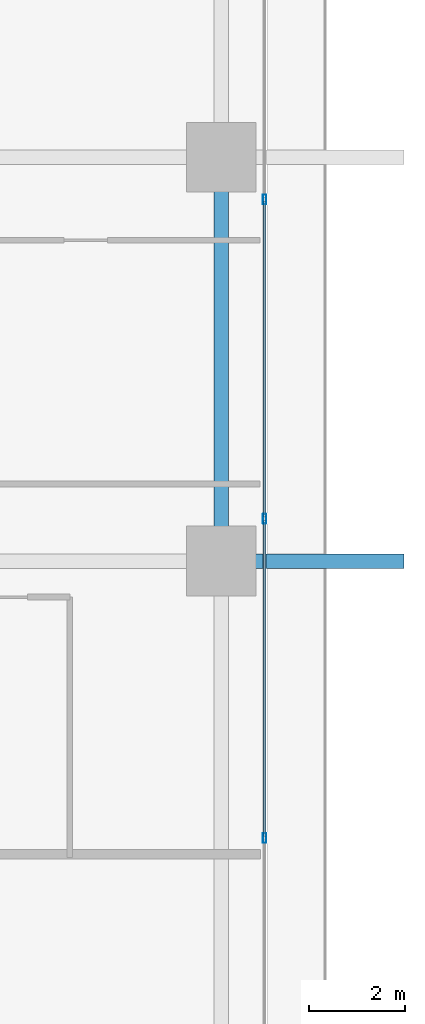
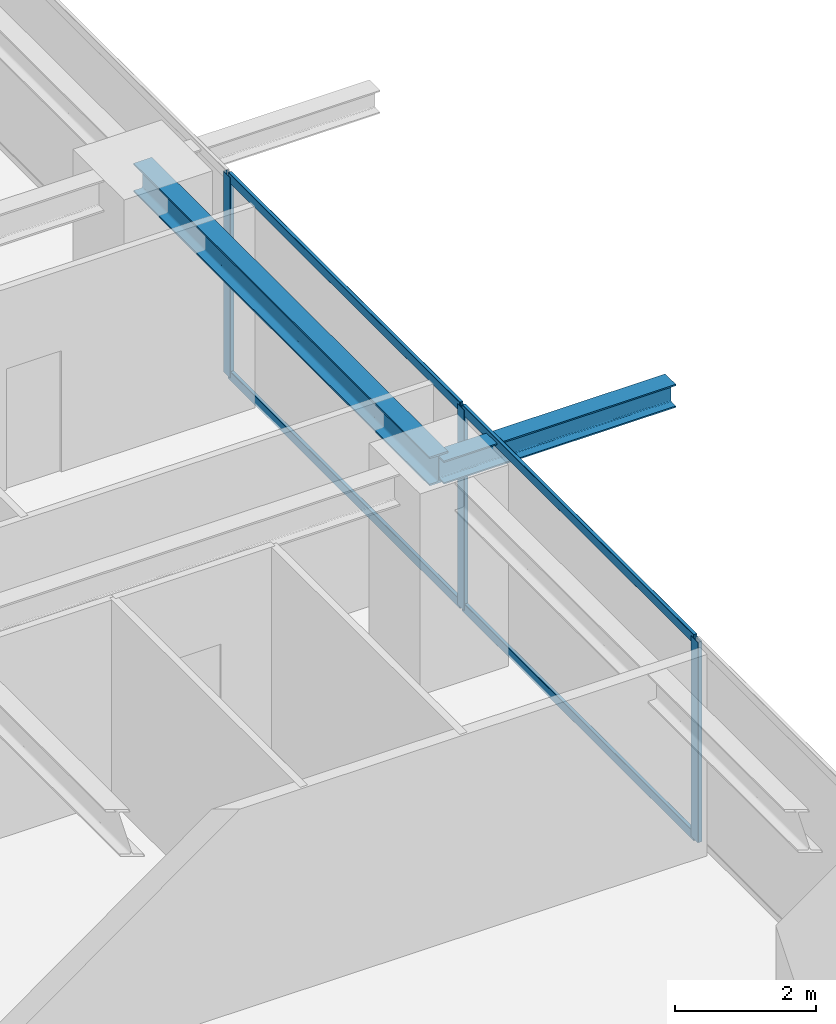
# One storey, part 15 of 41: 7 members, 2 beams, 1 element without a shape of its own.
"""IFC4 building model written with IfcOpenShell, lengths in metres."""

from ifc_helpers import new_model, si_unit, direction, frame, origin, origin_2d, place, context, subcontext, project, spatial, hollow_rectangle, i_section, extrude, source, transform, mapped, material, layer, layer_set, material_profile, profile_set, type_object, element, aggregate, save


model = new_model("IFC4")

# Units and contexts
model_context = context("Model", 3, precision=1e-05, world=origin(), true_north=direction((0.0, 1.0)))
body_context = subcontext(model_context, "Body", "Model", "MODEL_VIEW")
ifc_project = project(units=[si_unit("LENGTHUNIT", "METRE"), si_unit("AREAUNIT", "SQUARE_METRE"), si_unit("VOLUMEUNIT", "CUBIC_METRE"), si_unit("PLANEANGLEUNIT", "RADIAN"), si_unit("MASSUNIT", "GRAM", prefix="KILO")], contexts=[model_context])

# Site, building, storey
site_placement = place(None, origin())
site = spatial("IfcSite", under=ifc_project, at=site_placement, CompositionType="ELEMENT")
building_placement = place(site_placement, origin())
building = spatial("IfcBuilding", under=site, at=building_placement, Name="Serunith Strait Residences", CompositionType="ELEMENT")
storey_placement = place(building_placement, frame((0.0, 0.0, 75.449951171875)))
storey = spatial("IfcBuildingStorey", under=building, at=storey_placement, Name="L18", CompositionType="ELEMENT", Elevation=75.449951171875)

# Beams
ifc_material_1 = material(Name="Steel S355J2", Category="steel")
ifc_material_profile_1 = material_profile(ifc_material_1, i_section(OverallWidth=0.300048828125, OverallDepth=0.5, WebThickness=0.014404296875, FlangeThickness=0.028076171875, FilletRadius=0.027099609375, at=origin_2d()), Name="HEB 500")
ifc_profile_set_1 = profile_set([ifc_material_profile_1], Name="Steel S355J2")
beam_type_1 = type_object("IfcBeamType", Name="BM-HEB500", PredefinedType="BEAM", material=ifc_profile_set_1)
shared_shape_1 = source(origin(), body_context, "Body", "SweptSolid", [
    extrude(i_section(OverallWidth=0.300048828125, OverallDepth=0.5, WebThickness=0.014404296875, FlangeThickness=0.028076171875, FilletRadius=0.027099609375, at=origin_2d()), origin(), (0.0, 0.0, 1.0), 8.39990234375),
])
beam_1_placement = place(storey_placement, frame((57.89990234375, 21.0, 3.237060546875), z_axis=(0.0, 1.0, 0.0), x_axis=(-1.0, 0.0, 0.0)))
element("IfcBeam", 1, at=beam_1_placement, inside=storey, type_object=beam_type_1, Name="L18 Perimeter Ring Beam 06", PredefinedType="BEAM", context=body_context, shape_type="MappedRepresentation", body=[
    mapped(shared_shape_1, transform((0.0, 0.0, 0.0), scale=1.0)),
])
ifc_material_profile_2 = material_profile(ifc_material_1, i_section(OverallWidth=0.300048828125, OverallDepth=0.39990234375, WebThickness=0.013427734375, FlangeThickness=0.02392578125, FilletRadius=0.027099609375, at=origin_2d()), Name="HEB 400")
ifc_profile_set_2 = profile_set([ifc_material_profile_2], Name="Steel S355J2")
beam_type_2 = type_object("IfcBeamType", Name="BM-HEB400", PredefinedType="BEAM", material=ifc_profile_set_2)
shared_shape_2 = source(origin(), body_context, "Body", "SweptSolid", [
    extrude(i_section(OverallWidth=0.300048828125, OverallDepth=0.39990234375, WebThickness=0.013427734375, FlangeThickness=0.02392578125, FilletRadius=0.027099609375, at=origin_2d()), origin(), (0.0, 0.0, 1.0), 3.800048828125),
])
beam_2_placement = place(storey_placement, frame((57.89990234375, 21.0, 3.257080078125), z_axis=(1.0, 0.0, 0.0), x_axis=(0.0, 1.0, 0.0)))
element("IfcBeam", 2, at=beam_2_placement, inside=storey, type_object=beam_type_2, Name="L19 Cantilevered Balcony Rib TC-E2", PredefinedType="BEAM", context=body_context, shape_type="MappedRepresentation", body=[
    mapped(shared_shape_2, transform((0.0, 0.0, 0.0), scale=1.0)),
])

# Curtain wall, members
ifc_material_2 = material(Name="Pale-Champagne Anodised Aluminium", Category="aluminium")
ifc_layer = layer(ifc_material_2, 0.199951171875, Name="Pale-Champagne Anodised Aluminium")
ifc_layer_set = layer_set([ifc_layer], Name="Pale-Champagne Anodised Aluminium")
curtain_wall_type = type_object("IfcCurtainWallType", Name="CW-SYS1", PredefinedType="NOTDEFINED", material=ifc_layer_set)
curtain_wall_placement = place(storey_placement, origin())
curtain_wall = element("IfcCurtainWall", 3, at=curtain_wall_placement, inside=storey, type_object=curtain_wall_type, Name="L18 E Unitised Fritted Curtain Wall", PredefinedType="NOTDEFINED")
ifc_material_profile_3 = material_profile(ifc_material_2, hollow_rectangle(XDim=0.070068359375, YDim=0.199951171875, WallThickness=0.00390625, InnerFilletRadius=0.006103515625, OuterFilletRadius=0.010009765625, at=origin_2d()), Name="ALU 200x70x4")
ifc_profile_set_3 = profile_set([ifc_material_profile_3], Name="Pale-Champagne Anodised Aluminium")
member_type_1 = type_object("IfcMemberType", Name="CW-SYS1-MULL", PredefinedType="MULLION", material=ifc_profile_set_3)
shared_shape_3 = source(origin(), body_context, "Body", "SweptSolid", [
    extrude(hollow_rectangle(XDim=0.070068359375, YDim=0.199951171875, WallThickness=0.00390625, InnerFilletRadius=0.006103515625, OuterFilletRadius=0.010009765625, at=origin_2d()), origin(), (0.0, 0.0, 1.0), 3.47509765625),
])
member_1_placement = place(storey_placement, frame((58.800048828125, 15.239990234375, 0.0), z_axis=(0.0, 0.0, 1.0), x_axis=(-1.0, 0.0, 0.0)))
member_1 = element("IfcMember", 4, at=member_1_placement, type_object=member_type_1, Name="CW-1 mullion 2", PredefinedType="MULLION", context=body_context, shape_type="MappedRepresentation", body=[
    mapped(shared_shape_3, transform((0.0, 0.0, 0.0), scale=1.0)),
])
member_2_placement = place(storey_placement, frame((58.800048828125, 21.8798828125, 0.0), z_axis=(0.0, 0.0, 1.0), x_axis=(-1.0, 0.0, 0.0)))
member_2 = element("IfcMember", 5, at=member_2_placement, type_object=member_type_1, Name="CW-1 mullion 3", PredefinedType="MULLION", context=body_context, shape_type="MappedRepresentation", body=[
    mapped(shared_shape_3, transform((0.0, 0.0, 0.0), scale=1.0)),
])
member_3_placement = place(storey_placement, frame((58.800048828125, 28.52001953125, 0.0), z_axis=(0.0, 0.0, 1.0), x_axis=(-1.0, 0.0, 0.0)))
member_3 = element("IfcMember", 6, at=member_3_placement, type_object=member_type_1, Name="CW-1 mullion 4", PredefinedType="MULLION", context=body_context, shape_type="MappedRepresentation", body=[
    mapped(shared_shape_3, transform((0.0, 0.0, 0.0), scale=1.0)),
])
ifc_material_profile_4 = material_profile(ifc_material_2, hollow_rectangle(XDim=0.06005859375, YDim=0.159912109375, WallThickness=0.00341796875, InnerFilletRadius=0.00537109375, OuterFilletRadius=0.0087890625, at=origin_2d()), Name="ALU 160x60x3.5")
ifc_profile_set_4 = profile_set([ifc_material_profile_4], Name="Pale-Champagne Anodised Aluminium")
member_type_2 = type_object("IfcMemberType", Name="CW-SYS1-TRAN", PredefinedType="USERDEFINED", material=ifc_profile_set_4)
shared_shape_4 = source(origin(), body_context, "Body", "SweptSolid", [
    extrude(hollow_rectangle(XDim=0.06005859375, YDim=0.159912109375, WallThickness=0.00341796875, InnerFilletRadius=0.00537109375, OuterFilletRadius=0.0087890625, at=origin_2d()), origin(), (0.0, 0.0, 1.0), 6.570068359375),
])
member_4_placement = place(storey_placement, frame((58.800048828125, 15.27490234375, 0.030029296875), z_axis=(0.0, 1.0, 0.0), x_axis=(-1.0, 0.0, 0.0)))
member_4 = element("IfcMember", 7, at=member_4_placement, type_object=member_type_2, Name="CW-1 transom 2.1", ObjectType="TRANSOM", PredefinedType="USERDEFINED", context=body_context, shape_type="MappedRepresentation", body=[
    mapped(shared_shape_4, transform((0.0, 0.0, 0.0), scale=1.0)),
])
member_5_placement = place(storey_placement, frame((58.800048828125, 15.27490234375, 3.445068359375), z_axis=(0.0, 1.0, 0.0), x_axis=(-1.0, 0.0, 0.0)))
member_5 = element("IfcMember", 8, at=member_5_placement, type_object=member_type_2, Name="CW-1 transom 2.2", ObjectType="TRANSOM", PredefinedType="USERDEFINED", context=body_context, shape_type="MappedRepresentation", body=[
    mapped(shared_shape_4, transform((0.0, 0.0, 0.0), scale=1.0)),
])
member_6_placement = place(storey_placement, frame((58.800048828125, 21.9150390625, 0.030029296875), z_axis=(0.0, 1.0, 0.0), x_axis=(-1.0, 0.0, 0.0)))
member_6 = element("IfcMember", 9, at=member_6_placement, type_object=member_type_2, Name="CW-1 transom 3.1", ObjectType="TRANSOM", PredefinedType="USERDEFINED", context=body_context, shape_type="MappedRepresentation", body=[
    mapped(shared_shape_4, transform((0.0, 0.0, 0.0), scale=1.0)),
])
member_7_placement = place(storey_placement, frame((58.800048828125, 21.9150390625, 3.445068359375), z_axis=(0.0, 1.0, 0.0), x_axis=(-1.0, 0.0, 0.0)))
member_7 = element("IfcMember", 10, at=member_7_placement, type_object=member_type_2, Name="CW-1 transom 3.2", ObjectType="TRANSOM", PredefinedType="USERDEFINED", context=body_context, shape_type="MappedRepresentation", body=[
    mapped(shared_shape_4, transform((0.0, 0.0, 0.0), scale=1.0)),
])
aggregate(curtain_wall, [member_1, member_2, member_3, member_4, member_5, member_6, member_7])

save(model, "model.ifc")
